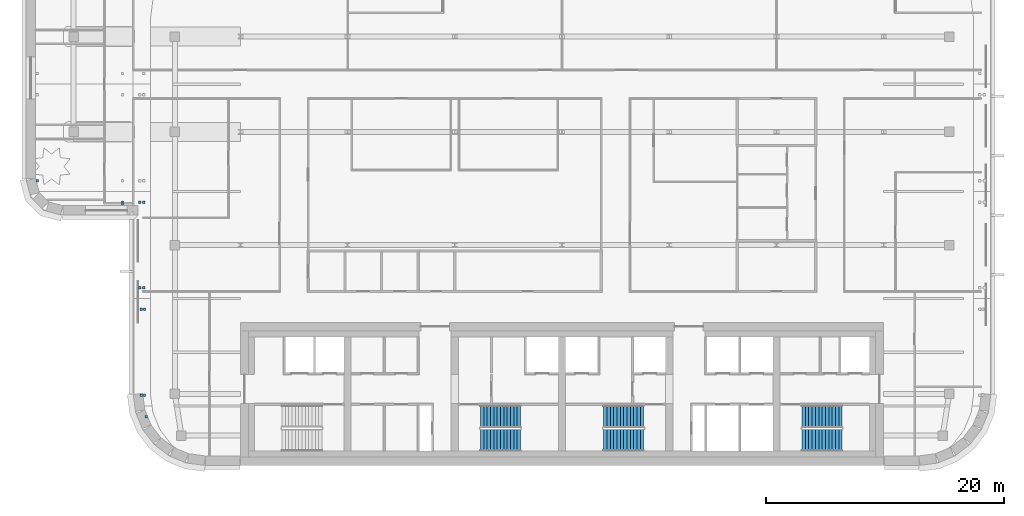
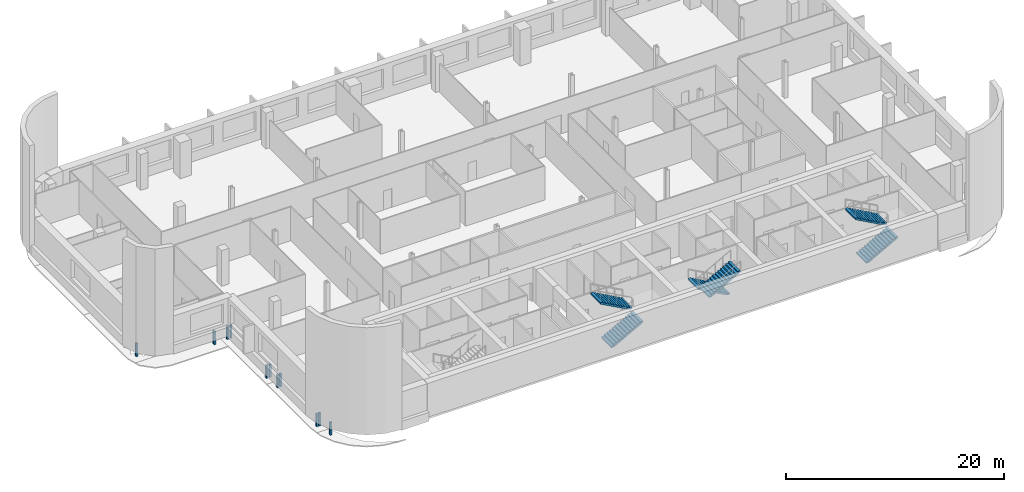
# One storey, part 12 of 19: 12 discrete accessories, 6 stair flights, 3 elements without a shape of their own.
"""IFC4 building model written with IfcOpenShell, lengths in metres."""

from ifc_helpers import new_model, si_unit, direction, frame, origin, origin_2d, place, context, subcontext, project, spatial, polyline, rectangle, outline, extrude, material, type_object, element, aggregate, save


model = new_model("IFC4")

# Units and contexts
model_context = context("Model", 3, precision=1e-05, world=origin(), true_north=direction((0.0, 1.0)))
body_context = subcontext(model_context, "Body", "Model", "MODEL_VIEW")
ifc_project = project(units=[si_unit("LENGTHUNIT", "METRE"), si_unit("AREAUNIT", "SQUARE_METRE"), si_unit("VOLUMEUNIT", "CUBIC_METRE"), si_unit("PLANEANGLEUNIT", "RADIAN"), si_unit("MASSUNIT", "GRAM", prefix="KILO")], contexts=[model_context])

# Site, building, storey
site_placement = place(None, origin())
site = spatial("IfcSite", under=ifc_project, at=site_placement, CompositionType="ELEMENT")
building_placement = place(site_placement, origin())
building = spatial("IfcBuilding", under=site, at=building_placement, Name="Zellij Exchange Tower", CompositionType="ELEMENT")
storey_placement = place(building_placement, frame((0.0, 0.0, 220.5)))
storey = spatial("IfcBuildingStorey", under=building, at=storey_placement, Name="L51", CompositionType="ELEMENT", Elevation=220.5)

# Stair, stair flights
ifc_material_1 = material(Name="Concrete C40/50", Category="concrete")
stair_type = type_object("IfcStairType", Name="CORE-ST exit stair 1850 wide", PredefinedType="HALF_TURN_STAIR", material=ifc_material_1)
stair_1_placement = place(storey_placement, origin())
stair_1 = element("IfcStair", 1, at=stair_1_placement, inside=storey, type_object=stair_type, Name="L51 exit stair ST2", PredefinedType="HALF_TURN_STAIR")
stair_flight_type = type_object("IfcStairFlightType", Name="CORE-SF flight 1850 riser 153.8 going 280", PredefinedType="STRAIGHT", material=ifc_material_1)
stair_flight_1_placement = place(storey_placement, frame((-6.85009765625, -11.875, 0.0), z_axis=(0.0, 0.0, 1.0), x_axis=(1.0, 0.0, 0.0)))
stair_flight_1 = element("IfcStairFlight", 2, at=stair_flight_1_placement, type_object=stair_flight_type, Name="ST2 flight 1", NumberOfRisers=13, NumberOfTreads=12, PredefinedType="STRAIGHT", RiserHeight=0.153846154, TreadLength=0.28, context=body_context, shape_type="SweptSolid", body=[
    extrude(outline(polyline([(0.0, 0.0), (0.0, 0.15380859375), (0.280029296875, 0.15380859375), (0.280029296875, 0.3076171875), (0.56005859375, 0.3076171875), (0.56005859375, 0.46142578125), (0.840087890625, 0.46142578125), (0.840087890625, 0.615478515625), (1.1201171875, 0.615478515625), (1.1201171875, 0.769287109375), (1.39990234375, 0.769287109375), (1.39990234375, 0.923095703125), (1.679931640625, 0.923095703125), (1.679931640625, 1.076904296875), (1.9599609375, 1.076904296875), (1.9599609375, 1.230712890625), (2.239990234375, 1.230712890625), (2.239990234375, 1.384521484375), (2.52001953125, 1.384521484375), (2.52001953125, 1.53857421875), (2.800048828125, 1.53857421875), (2.800048828125, 1.6923828125), (3.080078125, 1.6923828125), (3.080078125, 1.84619140625), (3.360107421875, 1.84619140625), (3.360107421875, 2.0), (3.360107421875, 1.675048828125), (0.311279296875, 0.0), (0.0, 0.0)])), frame((0.0, 0.925048828125, 0.0), z_axis=(0.0, -1.0, 0.0), x_axis=(1.0, 0.0, 0.0)), (0.0, 0.0, 1.0), 1.85009765625),
])
stair_flight_2_placement = place(storey_placement, frame((-3.489990234375, -9.875, 2.0), z_axis=(0.0, 0.0, 1.0), x_axis=(-1.0, 0.0, 0.0)))
stair_flight_2 = element("IfcStairFlight", 3, at=stair_flight_2_placement, type_object=stair_flight_type, Name="ST2 flight 2", NumberOfRisers=13, NumberOfTreads=12, PredefinedType="STRAIGHT", RiserHeight=0.153846154, TreadLength=0.28, context=body_context, shape_type="SweptSolid", body=[
    extrude(outline(polyline([(0.0, 0.0), (0.0, 0.15380859375), (0.280029296875, 0.15380859375), (0.280029296875, 0.3076171875), (0.56005859375, 0.3076171875), (0.56005859375, 0.46142578125), (0.840087890625, 0.46142578125), (0.840087890625, 0.615478515625), (1.1201171875, 0.615478515625), (1.1201171875, 0.769287109375), (1.39990234375, 0.769287109375), (1.39990234375, 0.923095703125), (1.679931640625, 0.923095703125), (1.679931640625, 1.076904296875), (1.9599609375, 1.076904296875), (1.9599609375, 1.230712890625), (2.239990234375, 1.230712890625), (2.239990234375, 1.384521484375), (2.52001953125, 1.384521484375), (2.52001953125, 1.53857421875), (2.800048828125, 1.53857421875), (2.800048828125, 1.6923828125), (3.080078125, 1.6923828125), (3.080078125, 1.84619140625), (3.360107421875, 1.84619140625), (3.360107421875, 2.0), (3.360107421875, 1.675048828125), (0.311279296875, 0.0), (0.0, 0.0)])), frame((0.0, 0.925048828125, 0.0), z_axis=(0.0, -1.0, 0.0), x_axis=(1.0, 0.0, 0.0)), (0.0, 0.0, 1.0), 1.85009765625),
])
aggregate(stair_1, [stair_flight_1, stair_flight_2])

stair_2_placement = place(storey_placement, origin())
stair_2 = element("IfcStair", 4, at=stair_2_placement, inside=storey, type_object=stair_type, Name="L51 exit stair ST3", PredefinedType="HALF_TURN_STAIR")
stair_flight_3_placement = place(storey_placement, frame((6.85009765625, -9.875, 0.0), z_axis=(0.0, 0.0, 1.0), x_axis=(-1.0, 0.0, 0.0)))
stair_flight_3 = element("IfcStairFlight", 5, at=stair_flight_3_placement, type_object=stair_flight_type, Name="ST3 flight 1", NumberOfRisers=13, NumberOfTreads=12, PredefinedType="STRAIGHT", RiserHeight=0.153846154, TreadLength=0.28, context=body_context, shape_type="SweptSolid", body=[
    extrude(outline(polyline([(0.0, 0.0), (0.0, 0.15380859375), (0.280029296875, 0.15380859375), (0.280029296875, 0.3076171875), (0.56005859375, 0.3076171875), (0.56005859375, 0.46142578125), (0.840087890625, 0.46142578125), (0.840087890625, 0.615478515625), (1.1201171875, 0.615478515625), (1.1201171875, 0.769287109375), (1.39990234375, 0.769287109375), (1.39990234375, 0.923095703125), (1.679931640625, 0.923095703125), (1.679931640625, 1.076904296875), (1.9599609375, 1.076904296875), (1.9599609375, 1.230712890625), (2.239990234375, 1.230712890625), (2.239990234375, 1.384521484375), (2.52001953125, 1.384521484375), (2.52001953125, 1.53857421875), (2.800048828125, 1.53857421875), (2.800048828125, 1.6923828125), (3.080078125, 1.6923828125), (3.080078125, 1.84619140625), (3.360107421875, 1.84619140625), (3.360107421875, 2.0), (3.360107421875, 1.675048828125), (0.311279296875, 0.0), (0.0, 0.0)])), frame((0.0, 0.925048828125, 0.0), z_axis=(0.0, -1.0, 0.0), x_axis=(1.0, 0.0, 0.0)), (0.0, 0.0, 1.0), 1.85009765625),
])
stair_flight_4_placement = place(storey_placement, frame((3.489990234375, -11.875, 2.0), z_axis=(0.0, 0.0, 1.0), x_axis=(1.0, 0.0, 0.0)))
stair_flight_4 = element("IfcStairFlight", 6, at=stair_flight_4_placement, type_object=stair_flight_type, Name="ST3 flight 2", NumberOfRisers=13, NumberOfTreads=12, PredefinedType="STRAIGHT", RiserHeight=0.153846154, TreadLength=0.28, context=body_context, shape_type="SweptSolid", body=[
    extrude(outline(polyline([(0.0, 0.0), (0.0, 0.15380859375), (0.280029296875, 0.15380859375), (0.280029296875, 0.3076171875), (0.56005859375, 0.3076171875), (0.56005859375, 0.46142578125), (0.840087890625, 0.46142578125), (0.840087890625, 0.615478515625), (1.1201171875, 0.615478515625), (1.1201171875, 0.769287109375), (1.39990234375, 0.769287109375), (1.39990234375, 0.923095703125), (1.679931640625, 0.923095703125), (1.679931640625, 1.076904296875), (1.9599609375, 1.076904296875), (1.9599609375, 1.230712890625), (2.239990234375, 1.230712890625), (2.239990234375, 1.384521484375), (2.52001953125, 1.384521484375), (2.52001953125, 1.53857421875), (2.800048828125, 1.53857421875), (2.800048828125, 1.6923828125), (3.080078125, 1.6923828125), (3.080078125, 1.84619140625), (3.360107421875, 1.84619140625), (3.360107421875, 2.0), (3.360107421875, 1.675048828125), (0.311279296875, 0.0), (0.0, 0.0)])), frame((0.0, 0.925048828125, 0.0), z_axis=(0.0, -1.0, 0.0), x_axis=(1.0, 0.0, 0.0)), (0.0, 0.0, 1.0), 1.85009765625),
])
aggregate(stair_2, [stair_flight_3, stair_flight_4])

stair_3_placement = place(storey_placement, origin())
stair_3 = element("IfcStair", 7, at=stair_3_placement, inside=storey, type_object=stair_type, Name="L51 exit stair ST4", PredefinedType="HALF_TURN_STAIR")
stair_flight_5_placement = place(storey_placement, frame((20.14990234375, -11.875, 0.0), z_axis=(0.0, 0.0, 1.0), x_axis=(1.0, 0.0, 0.0)))
stair_flight_5 = element("IfcStairFlight", 8, at=stair_flight_5_placement, type_object=stair_flight_type, Name="ST4 flight 1", NumberOfRisers=13, NumberOfTreads=12, PredefinedType="STRAIGHT", RiserHeight=0.153846154, TreadLength=0.28, context=body_context, shape_type="SweptSolid", body=[
    extrude(outline(polyline([(0.0, 0.0), (0.0, 0.15380859375), (0.280029296875, 0.15380859375), (0.280029296875, 0.3076171875), (0.56005859375, 0.3076171875), (0.56005859375, 0.46142578125), (0.840087890625, 0.46142578125), (0.840087890625, 0.615478515625), (1.1201171875, 0.615478515625), (1.1201171875, 0.769287109375), (1.39990234375, 0.769287109375), (1.39990234375, 0.923095703125), (1.679931640625, 0.923095703125), (1.679931640625, 1.076904296875), (1.9599609375, 1.076904296875), (1.9599609375, 1.230712890625), (2.239990234375, 1.230712890625), (2.239990234375, 1.384521484375), (2.52001953125, 1.384521484375), (2.52001953125, 1.53857421875), (2.800048828125, 1.53857421875), (2.800048828125, 1.6923828125), (3.080078125, 1.6923828125), (3.080078125, 1.84619140625), (3.360107421875, 1.84619140625), (3.360107421875, 2.0), (3.360107421875, 1.675048828125), (0.311279296875, 0.0), (0.0, 0.0)])), frame((0.0, 0.925048828125, 0.0), z_axis=(0.0, -1.0, 0.0), x_axis=(1.0, 0.0, 0.0)), (0.0, 0.0, 1.0), 1.85009765625),
])
stair_flight_6_placement = place(storey_placement, frame((23.510009765625, -9.875, 2.0), z_axis=(0.0, 0.0, 1.0), x_axis=(-1.0, 0.0, 0.0)))
stair_flight_6 = element("IfcStairFlight", 9, at=stair_flight_6_placement, type_object=stair_flight_type, Name="ST4 flight 2", NumberOfRisers=13, NumberOfTreads=12, PredefinedType="STRAIGHT", RiserHeight=0.153846154, TreadLength=0.28, context=body_context, shape_type="SweptSolid", body=[
    extrude(outline(polyline([(0.0, 0.0), (0.0, 0.15380859375), (0.280029296875, 0.15380859375), (0.280029296875, 0.3076171875), (0.56005859375, 0.3076171875), (0.56005859375, 0.46142578125), (0.840087890625, 0.46142578125), (0.840087890625, 0.615478515625), (1.1201171875, 0.615478515625), (1.1201171875, 0.769287109375), (1.39990234375, 0.769287109375), (1.39990234375, 0.923095703125), (1.679931640625, 0.923095703125), (1.679931640625, 1.076904296875), (1.9599609375, 1.076904296875), (1.9599609375, 1.230712890625), (2.239990234375, 1.230712890625), (2.239990234375, 1.384521484375), (2.52001953125, 1.384521484375), (2.52001953125, 1.53857421875), (2.800048828125, 1.53857421875), (2.800048828125, 1.6923828125), (3.080078125, 1.6923828125), (3.080078125, 1.84619140625), (3.360107421875, 1.84619140625), (3.360107421875, 2.0), (3.360107421875, 1.675048828125), (0.311279296875, 0.0), (0.0, 0.0)])), frame((0.0, 0.925048828125, 0.0), z_axis=(0.0, -1.0, 0.0), x_axis=(1.0, 0.0, 0.0)), (0.0, 0.0, 1.0), 1.85009765625),
])
aggregate(stair_3, [stair_flight_5, stair_flight_6])

# Discrete accessories
ifc_material_2 = material(Name="Stainless steel", Category="steel")
discrete_accessory_type = type_object("IfcDiscreteAccessoryType", Name="ENV-BR1 Stone panel bracket 200", PredefinedType="USERDEFINED", material=ifc_material_2)
for number, where, z_axis, x_axis, name in (
    (10, (-36.89990234375, 7.949951171875, -1.64990234375), (0.0, 0.0, 1.0), (1.0, 0.0, 0.0), "Panel bracket"),
    (11, (-36.89990234375, 8.10009765625, -1.64990234375), (0.0, 0.0, 1.0), (1.0, 0.0, 0.0), "Panel bracket"),
    (12, (-44.050048828125, 9.89990234375, -1.64990234375), (0.0, 0.0, 1.0), (1.0, 0.0, 0.0), "Panel bracket"),
    (13, (-34.91796875, -9.89990234375, -1.64990234375), (0.0, 0.0, 1.0), (1.0, 0.0, 0.0), "Panel bracket"),
    (14, (-35.050048828125, -8.10009765625, -1.64990234375), (0.0, 0.0, 1.0), (1.0, 0.0, 0.0), "Panel bracket"),
    (15, (-35.31884765625, -8.10009765625, -1.64990234375), (0.0, 0.0, 1.0), (1.0, 0.0, 0.0), "Panel bracket"),
    (16, (-35.050048828125, -0.89990234375, -1.64990234375), (0.0, 0.0, 1.0), (1.0, 0.0, 0.0), "Panel bracket"),
    (17, (-35.31884765625, -0.89990234375, -1.64990234375), (0.0, 0.0, 1.0), (1.0, 0.0, 0.0), "Panel bracket"),
    (18, (-35.10009765625, 0.89990234375, -1.64990234375), (0.0, 0.0, 1.0), (1.0, 0.0, 0.0), "Panel bracket"),
    (19, (-35.449951171875, 0.89990234375, -1.64990234375), (0.0, 0.0, 1.0), (1.0, 0.0, 0.0), "Panel bracket"),
    (20, (-35.10009765625, 8.10009765625, -1.64990234375), (0.0, 0.0, 1.0), (1.0, 0.0, 0.0), "Panel bracket"),
    (21, (-35.449951171875, 8.10009765625, -1.64990234375), (0.0, 0.0, 1.0), (1.0, 0.0, 0.0), "Panel bracket"),
):
    element("IfcDiscreteAccessory", number, at=place(storey_placement, frame(where, z_axis=z_axis, x_axis=x_axis)), inside=storey, type_object=discrete_accessory_type, Name=name, ObjectType="BRACKET", PredefinedType="USERDEFINED", context=body_context, shape_type="SweptSolid", body=[
        extrude(rectangle(XDim=0.199951171875, YDim=0.199951171875, at=origin_2d()), origin(), (0.0, 0.0, 1.0), 1.449951171875),
    ])

save(model, "model.ifc")
